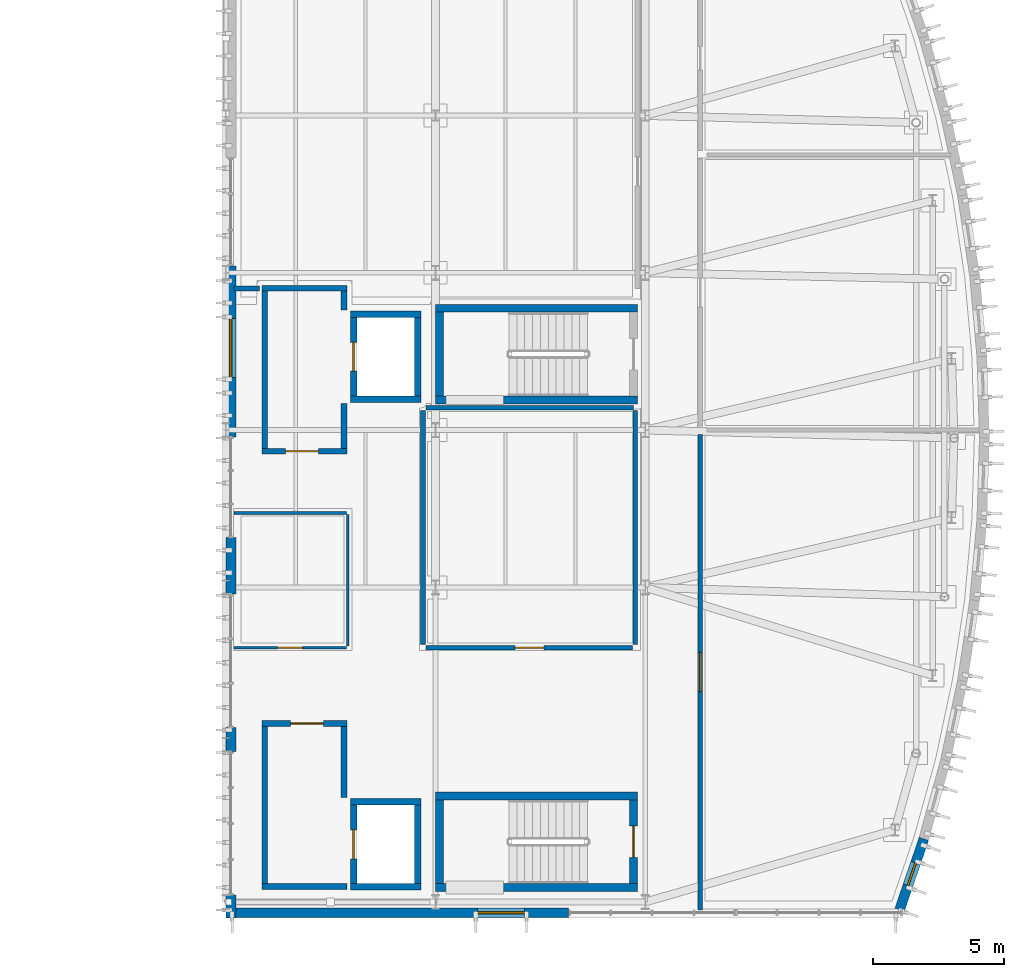
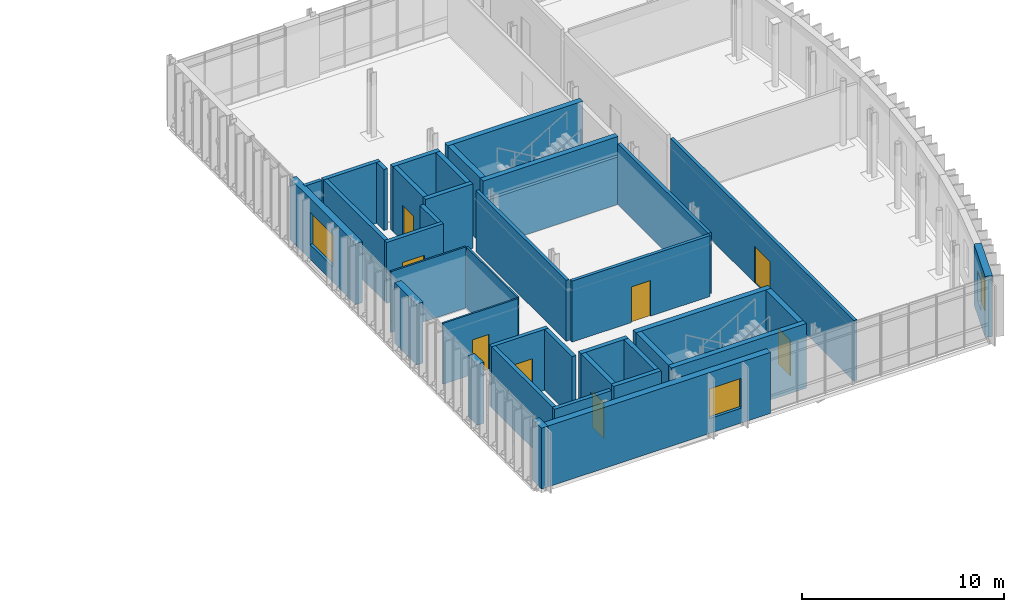
# One storey, part 28 of 43: 39 walls, 8 doors, 3 windows, 11 openings.
"""IFC4 building model written with IfcOpenShell, lengths in metres."""

from ifc_helpers import new_model, si_unit, direction, frame, frame_2d, origin, place, context, subcontext, project, spatial, rectangle, extrude, material, layer, layer_set, type_object, element, fill, save


model = new_model("IFC4")

# Units and contexts
model_context = context("Model", 3, precision=1e-05, world=origin(), true_north=direction((0.0, 1.0)))
body_context = subcontext(model_context, "Body", "Model", "MODEL_VIEW")
ifc_project = project(units=[si_unit("LENGTHUNIT", "METRE"), si_unit("AREAUNIT", "SQUARE_METRE"), si_unit("VOLUMEUNIT", "CUBIC_METRE"), si_unit("PLANEANGLEUNIT", "RADIAN"), si_unit("MASSUNIT", "GRAM", prefix="KILO")], contexts=[model_context])

# Site, building, storey
site_placement = place(None, origin())
site = spatial("IfcSite", under=ifc_project, at=site_placement, CompositionType="ELEMENT")
building_placement = place(site_placement, origin())
building = spatial("IfcBuilding", under=site, at=building_placement, Name="Cymarion Research Institute", CompositionType="ELEMENT")
storey_placement = place(building_placement, frame((0.0, 0.0, 22.800048828125)))
storey = spatial("IfcBuildingStorey", under=building, at=storey_placement, Name="L05", CompositionType="ELEMENT", Elevation=22.800048828125)

# Wall, opening, window
ifc_material_1 = material(Name="Precast concrete C40/50", Category="concrete")
ifc_layer_1 = layer(ifc_material_1, 0.3798828125)
ifc_layer_set_1 = layer_set([ifc_layer_1], Name="Precast concrete C40/50")
wall_type_1 = type_object("IfcWallType", Name="EXTERIOR WALL EW-PC380 380MM", PredefinedType="SOLIDWALL", material=ifc_layer_set_1)
wall_1_placement = place(storey_placement, frame((138.9619140625, 5.090087890625, 0.0), z_axis=(0.0, 0.0, 1.0), x_axis=(1.0, 0.0, 0.0)))
wall_1 = element("IfcWall", 1, at=wall_1_placement, inside=storey, type_object=wall_type_1, Name="L05 V1 facade pier wall EW-PC380 #218", PredefinedType="SOLIDWALL", context=body_context, shape_type="SweptSolid", body=[
    extrude(rectangle(XDim=12.718994140625, YDim=0.3798828125, at=frame_2d((6.359375, 0.0))), origin(), (0.0, 0.0, 1.0), 3.679931640625),
])
opening_1_placement = place(wall_1_placement, frame((9.239013671875, 0.0, 0.89990234375)))
opening_1 = element("IfcOpeningElement", 2, at=opening_1_placement, cuts=wall_1, Name="Opening W03", PredefinedType="OPENING", context=body_context, shape_type="SweptSolid", body=[
    extrude(rectangle(XDim=1.800048828125, YDim=1.800048828125, at=frame_2d((0.89990234375, 0.89990234375))), frame((0.0, 0.199951171875, 0.0), z_axis=(0.0, -1.0, 0.0), x_axis=(1.0, 0.0, 0.0)), (0.0, 0.0, 1.0), 0.39990234375),
])
ifc_material_2 = material(Name="Thermally broken aluminium window with Low-E glazing", Category="aluminium")
window_type_1 = type_object("IfcWindowType", Name="THERMALLY BROKEN ALUMINIUM WINDOW W03 1800X1800", PartitioningType="DOUBLE_PANEL_VERTICAL", PredefinedType="WINDOW", material=ifc_material_2)
window_1_placement = place(opening_1_placement, origin())
window_1 = element("IfcWindow", 3, at=window_1_placement, inside=storey, type_object=window_type_1, Name="L05 V1 facade window W03 #405", OverallHeight=1.800048828125, OverallWidth=1.800048828125, PartitioningType="SINGLE_PANEL", PredefinedType="WINDOW", context=body_context, shape_type="SweptSolid", body=[
    extrude(rectangle(XDim=1.800048828125, YDim=1.800048828125, at=frame_2d((0.89990234375, 0.89990234375))), frame((0.0, 0.030029296875, 0.0), z_axis=(0.0, -1.0, 0.0), x_axis=(1.0, 0.0, 0.0)), (0.0, 0.0, 1.0), 0.06005859375),
])
fill(opening_1, window_1)

wall_2_placement = place(storey_placement, frame((164.30224609375, 5.201416015625, 0.0), z_axis=(0.0, 0.0, 1.0), x_axis=(0.323739917301, 0.946146112366, 0.0)))
wall_2 = element("IfcWall", 4, at=wall_2_placement, inside=storey, type_object=wall_type_1, Name="L05 V1 exterior wall EW-PC380 #219", PredefinedType="SOLIDWALL", context=body_context, shape_type="SweptSolid", body=[
    extrude(rectangle(XDim=2.862548828125, YDim=0.3798828125, at=frame_2d((1.43115234375, 0.0))), origin(), (0.0, 0.0, 1.0), 3.679931640625),
])
opening_2_placement = place(wall_2_placement, frame((0.98095703125, 0.0, 0.89990234375)))
opening_2 = element("IfcOpeningElement", 5, at=opening_2_placement, cuts=wall_2, Name="Opening W24", PredefinedType="OPENING", context=body_context, shape_type="SweptSolid", body=[
    extrude(rectangle(XDim=0.89990234375, YDim=1.800048828125, at=frame_2d((0.449951171875, 0.89990234375))), frame((0.0, 0.199951171875, 0.0), z_axis=(0.0, -1.0, 0.0), x_axis=(1.0, 0.0, 0.0)), (0.0, 0.0, 1.0), 0.39990234375),
])
window_type_2 = type_object("IfcWindowType", Name="THERMALLY BROKEN ALUMINIUM WINDOW W24 900X1800", PartitioningType="SINGLE_PANEL", PredefinedType="WINDOW", material=ifc_material_2)
window_2_placement = place(opening_2_placement, origin())
window_2 = element("IfcWindow", 6, at=window_2_placement, inside=storey, type_object=window_type_2, Name="L05 V1 facade window W24 #406", OverallHeight=1.800048828125, OverallWidth=0.89990234375, PartitioningType="SINGLE_PANEL", PredefinedType="WINDOW", context=body_context, shape_type="SweptSolid", body=[
    extrude(rectangle(XDim=0.89990234375, YDim=1.800048828125, at=frame_2d((0.449951171875, 0.89990234375))), frame((0.0, 0.030029296875, 0.0), z_axis=(0.0, -1.0, 0.0), x_axis=(1.0, 0.0, 0.0)), (0.0, 0.0, 1.0), 0.06005859375),
])
fill(opening_2, window_2)

wall_3_placement = place(storey_placement, frame((138.7900390625, 29.760009765625, 0.0), z_axis=(0.0, 0.0, 1.0), x_axis=(0.0, -1.0, 0.0)))
wall_3 = element("IfcWall", 7, at=wall_3_placement, inside=storey, type_object=wall_type_1, Name="L05 V1 facade pier wall EW-PC380 #235", PredefinedType="SOLIDWALL", context=body_context, shape_type="SweptSolid", body=[
    extrude(rectangle(XDim=6.52001953125, YDim=0.3798828125, at=frame_2d((3.260009765625, 0.0))), origin(), (0.0, 0.0, 1.0), 3.679931640625),
])
opening_3_placement = place(wall_3_placement, frame((2.010009765625, 0.0, 0.89990234375)))
opening_3 = element("IfcOpeningElement", 8, at=opening_3_placement, cuts=wall_3, Name="Opening W30", PredefinedType="OPENING", context=body_context, shape_type="SweptSolid", body=[
    extrude(rectangle(XDim=2.25, YDim=1.949951171875, at=frame_2d((1.125, 0.97509765625))), frame((0.0, 0.199951171875, 0.0), z_axis=(0.0, -1.0, 0.0), x_axis=(1.0, 0.0, 0.0)), (0.0, 0.0, 1.0), 0.39990234375),
])
window_type_3 = type_object("IfcWindowType", Name="THERMALLY BROKEN ALUMINIUM WINDOW W30 2250X1950", PartitioningType="DOUBLE_PANEL_VERTICAL", PredefinedType="WINDOW", material=ifc_material_2)
window_3_placement = place(opening_3_placement, origin())
window_3 = element("IfcWindow", 9, at=window_3_placement, inside=storey, type_object=window_type_3, Name="L05 V1 facade window W30 #418", OverallHeight=1.949951171875, OverallWidth=2.25, PartitioningType="SINGLE_PANEL", PredefinedType="WINDOW", context=body_context, shape_type="SweptSolid", body=[
    extrude(rectangle(XDim=2.25, YDim=1.949951171875, at=frame_2d((1.125, 0.97509765625))), frame((0.0, 0.030029296875, 0.0), z_axis=(0.0, -1.0, 0.0), x_axis=(1.0, 0.0, 0.0)), (0.0, 0.0, 1.0), 0.06005859375),
])
fill(opening_3, window_3)

# Walls
wall_4_placement = place(storey_placement, frame((138.7900390625, 19.395263671875, 0.0), z_axis=(0.0, 0.0, 1.0), x_axis=(0.0, -1.0, 0.0)))
element("IfcWall", 10, at=wall_4_placement, inside=storey, type_object=wall_type_1, Name="L05 V1 facade pier wall EW-PC380 #236", PredefinedType="SOLIDWALL", context=body_context, shape_type="SweptSolid", body=[
    extrude(rectangle(XDim=2.1552734375, YDim=0.3798828125, at=frame_2d((1.07763671875, 0.0))), origin(), (0.0, 0.0, 1.0), 3.679931640625),
])
wall_5_placement = place(storey_placement, frame((138.7900390625, 12.147705078125, 0.0), z_axis=(0.0, 0.0, 1.0), x_axis=(0.0, -1.0, 0.0)))
element("IfcWall", 11, at=wall_5_placement, inside=storey, type_object=wall_type_1, Name="L05 V1 facade pier wall EW-PC380 #237", PredefinedType="SOLIDWALL", context=body_context, shape_type="SweptSolid", body=[
    extrude(rectangle(XDim=0.90771484375, YDim=0.3798828125, at=frame_2d((0.453857421875, 0.0))), origin(), (0.0, 0.0, 1.0), 3.679931640625),
])
wall_6_placement = place(storey_placement, frame((138.7900390625, 5.760009765625, 0.0), z_axis=(0.0, 0.0, 1.0), x_axis=(0.0, -1.0, 0.0)))
element("IfcWall", 12, at=wall_6_placement, inside=storey, type_object=wall_type_1, Name="L05 V1 facade pier wall EW-PC380 #238", PredefinedType="SOLIDWALL", context=body_context, shape_type="SweptSolid", body=[
    extrude(rectangle(XDim=0.860107421875, YDim=0.3798828125, at=frame_2d((0.43017578125, 0.0))), origin(), (0.0, 0.0, 1.0), 3.679931640625),
])
ifc_material_3 = material(Name="Framed acoustic glass laboratory screen", Category="glass")
ifc_layer_2 = layer(ifc_material_3, 0.10009765625)
ifc_layer_set_2 = layer_set([ifc_layer_2], Name="Framed acoustic glass laboratory screen")
wall_type_2 = type_object("IfcWallType", Name="INTERIOR PARTITION IW-GL100 100MM", PredefinedType="PARTITIONING", material=ifc_layer_set_2)
wall_7_placement = place(storey_placement, frame((138.905029296875, 20.340087890625, 0.0), z_axis=(0.0, 0.0, 1.0), x_axis=(1.0, 0.0, 0.0)))
element("IfcWall", 13, at=wall_7_placement, inside=storey, type_object=wall_type_2, Name="L05 V1 interior partition IW-GL100 #317", PredefinedType="PARTITIONING", context=body_context, shape_type="SweptSolid", body=[
    extrude(rectangle(XDim=4.294921875, YDim=0.10009765625, at=frame_2d((2.1474609375, 0.0))), origin(), (0.0, 0.0, 1.0), 3.679931640625),
])
wall_8_placement = place(storey_placement, frame((143.25, 15.260009765625, 0.0), z_axis=(0.0, 0.0, 1.0), x_axis=(0.0, 1.0, 0.0)))
element("IfcWall", 14, at=wall_8_placement, inside=storey, type_object=wall_type_2, Name="L05 V1 interior partition IW-GL100 #318", PredefinedType="PARTITIONING", context=body_context, shape_type="SweptSolid", body=[
    extrude(rectangle(XDim=5.02001953125, YDim=0.10009765625, at=frame_2d((2.510009765625, 0.0))), origin(), (0.0, 0.0, 1.0), 3.679931640625),
])

# Wall, opening, door
wall_9_placement = place(storey_placement, frame((138.905029296875, 15.199951171875, 0.0), z_axis=(0.0, 0.0, 1.0), x_axis=(1.0, 0.0, 0.0)))
wall_9 = element("IfcWall", 15, at=wall_9_placement, inside=storey, type_object=wall_type_2, Name="L05 V1 interior partition IW-GL100 #319", PredefinedType="PARTITIONING", context=body_context, shape_type="SweptSolid", body=[
    extrude(rectangle(XDim=4.294921875, YDim=0.10009765625, at=frame_2d((2.1474609375, 0.0))), origin(), (0.0, 0.0, 1.0), 3.679931640625),
])
opening_4_placement = place(wall_9_placement, frame((1.673095703125, 0.0, 0.0)))
opening_4 = element("IfcOpeningElement", 16, at=opening_4_placement, cuts=wall_9, Name="Opening D-L05-192", PredefinedType="OPENING", context=body_context, shape_type="SweptSolid", body=[
    extrude(rectangle(XDim=0.949951171875, YDim=2.10009765625, at=frame_2d((0.47509765625, 1.050048828125))), frame((0.0, 0.06005859375, 0.0), z_axis=(0.0, -1.0, 0.0), x_axis=(1.0, 0.0, 0.0)), (0.0, 0.0, 1.0), 0.1201171875),
])
ifc_material_4 = material(Name="Flush acoustic timber/steel door assembly", Category="steel")
door_type_1 = type_object("IfcDoorType", Name="FACULTY STUDY DOOR DT-OF095 950X2100", OperationType="NOTDEFINED", PredefinedType="DOOR", material=ifc_material_4)
door_1_placement = place(opening_4_placement, origin())
door_1 = element("IfcDoor", 17, at=door_1_placement, inside=storey, type_object=door_type_1, Name="L05 West Write-up door D-L05-192", OperationType="SINGLE_SWING_LEFT", OverallHeight=2.10009765625, OverallWidth=0.949951171875, PredefinedType="DOOR", context=body_context, shape_type="SweptSolid", body=[
    extrude(rectangle(XDim=0.949951171875, YDim=2.10009765625, at=frame_2d((0.47509765625, 1.050048828125))), frame((0.0, 0.02490234375, 0.0), z_axis=(0.0, -1.0, 0.0), x_axis=(1.0, 0.0, 0.0)), (0.0, 0.0, 1.0), 0.050048828125),
])
fill(opening_4, door_1)

ifc_material_5 = material(Name="Moisture-resistant laboratory partition", Category="gypsum")
ifc_layer_3 = layer(ifc_material_5, 0.179931640625)
ifc_layer_set_3 = layer_set([ifc_layer_3], Name="Moisture-resistant laboratory partition")
wall_type_3 = type_object("IfcWallType", Name="INTERIOR PARTITION IW-LB180 180MM", PredefinedType="PARTITIONING", material=ifc_layer_set_3)
wall_10_placement = place(storey_placement, frame((156.699951171875, 5.205078125, 0.0), z_axis=(0.0, 0.0, 1.0), x_axis=(0.0, 1.0, 0.0)))
wall_10 = element("IfcWall", 18, at=wall_10_placement, inside=storey, type_object=wall_type_3, Name="L05 V1 interior partition IW-LB180 #314", PredefinedType="PARTITIONING", context=body_context, shape_type="SweptSolid", body=[
    extrude(rectangle(XDim=18.135009765625, YDim=0.179931640625, at=frame_2d((9.0673828125, 0.0))), origin(), (0.0, 0.0, 1.0), 3.679931640625),
])
opening_5_placement = place(wall_10_placement, frame((8.31689453125, 0.0, 0.0)))
opening_5 = element("IfcOpeningElement", 19, at=opening_5_placement, cuts=wall_10, Name="Opening D-L05-189", PredefinedType="OPENING", context=body_context, shape_type="SweptSolid", body=[
    extrude(rectangle(XDim=1.5, YDim=2.199951171875, at=frame_2d((0.75, 1.10009765625))), frame((0.0, 0.099853515625, 0.0), z_axis=(0.0, -1.0, 0.0), x_axis=(1.0, 0.0, 0.0)), (0.0, 0.0, 1.0), 0.199951171875),
])
door_type_2 = type_object("IfcDoorType", Name="LABORATORY EQUIPMENT DOUBLE DOOR DT-LB150 1500X2200", OperationType="DOUBLE_DOOR_SINGLE_SWING", PredefinedType="DOOR", material=ifc_material_4)
door_2_placement = place(opening_5_placement, origin())
door_2 = element("IfcDoor", 20, at=door_2_placement, inside=storey, type_object=door_type_2, Name="L05 Prow Lab S door D-L05-189", OperationType="DOUBLE_DOOR_SINGLE_SWING", OverallHeight=2.199951171875, OverallWidth=1.5, PredefinedType="DOOR", context=body_context, shape_type="SweptSolid", body=[
    extrude(rectangle(XDim=1.5, YDim=2.199951171875, at=frame_2d((0.75, 1.10009765625))), frame((0.0, 0.02490234375, 0.0), z_axis=(0.0, -1.0, 0.0), x_axis=(1.0, 0.0, 0.0)), (0.0, 0.0, 1.0), 0.050048828125),
])
fill(opening_5, door_2)

# Walls
wall_11_placement = place(storey_placement, frame((146.1201171875, 15.320068359375, 0.0), z_axis=(0.0, 0.0, 1.0), x_axis=(0.0, 1.0, 0.0)))
element("IfcWall", 21, at=wall_11_placement, inside=storey, type_object=wall_type_3, Name="L05 V1 interior partition IW-LB180 #320", PredefinedType="PARTITIONING", context=body_context, shape_type="SweptSolid", body=[
    extrude(rectangle(XDim=8.929931640625, YDim=0.179931640625, at=frame_2d((4.46484375, 0.0))), origin(), (0.0, 0.0, 1.0), 3.679931640625),
])
wall_12_placement = place(storey_placement, frame((146.239990234375, 24.35009765625, 0.0), z_axis=(0.0, 0.0, 1.0), x_axis=(1.0, 0.0, 0.0)))
element("IfcWall", 22, at=wall_12_placement, inside=storey, type_object=wall_type_3, Name="L05 V1 interior partition IW-LB180 #321", PredefinedType="PARTITIONING", context=body_context, shape_type="SweptSolid", body=[
    extrude(rectangle(XDim=7.909912109375, YDim=0.179931640625, at=frame_2d((3.955078125, 0.0))), origin(), (0.0, 0.0, 1.0), 2.85986328125),
])
wall_13_placement = place(storey_placement, frame((154.219970703125, 15.320068359375, 0.0), z_axis=(0.0, 0.0, 1.0), x_axis=(0.0, 1.0, 0.0)))
element("IfcWall", 23, at=wall_13_placement, inside=storey, type_object=wall_type_3, Name="L05 V1 interior partition IW-LB180 #322", PredefinedType="PARTITIONING", context=body_context, shape_type="SweptSolid", body=[
    extrude(rectangle(XDim=8.929931640625, YDim=0.179931640625, at=frame_2d((4.46484375, 0.0))), origin(), (0.0, 0.0, 1.0), 3.679931640625),
])

# Wall, opening, door
wall_14_placement = place(storey_placement, frame((146.239990234375, 15.199951171875, 0.0), z_axis=(0.0, 0.0, 1.0), x_axis=(1.0, 0.0, 0.0)))
wall_14 = element("IfcWall", 24, at=wall_14_placement, inside=storey, type_object=wall_type_3, Name="L05 V1 interior partition IW-LB180 #323", PredefinedType="PARTITIONING", context=body_context, shape_type="SweptSolid", body=[
    extrude(rectangle(XDim=7.880126953125, YDim=0.179931640625, at=frame_2d((3.93994140625, 0.0))), origin(), (0.0, 0.0, 1.0), 3.679931640625),
])
opening_6_placement = place(wall_14_placement, frame((3.389892578125, 0.0, 0.0)))
opening_6 = element("IfcOpeningElement", 25, at=opening_6_placement, cuts=wall_14, Name="Opening D-L05-193", PredefinedType="OPENING", context=body_context, shape_type="SweptSolid", body=[
    extrude(rectangle(XDim=1.10009765625, YDim=2.14990234375, at=frame_2d((0.550048828125, 1.074951171875))), frame((0.0, 0.099853515625, 0.0), z_axis=(0.0, -1.0, 0.0), x_axis=(1.0, 0.0, 0.0)), (0.0, 0.0, 1.0), 0.199951171875),
])
door_type_3 = type_object("IfcDoorType", Name="LABORATORY WIDE SINGLE DOOR DT-LB110 1100X2150", OperationType="NOTDEFINED", PredefinedType="DOOR", material=ifc_material_4)
door_3_placement = place(opening_6_placement, origin())
door_3 = element("IfcDoor", 26, at=door_3_placement, inside=storey, type_object=door_type_3, Name="L05 Central Microscopy Lab door D-L05-193", OperationType="SINGLE_SWING_RIGHT", OverallHeight=2.14990234375, OverallWidth=1.10009765625, PredefinedType="DOOR", context=body_context, shape_type="SweptSolid", body=[
    extrude(rectangle(XDim=1.10009765625, YDim=2.14990234375, at=frame_2d((0.550048828125, 1.074951171875))), frame((0.0, 0.02490234375, 0.0), z_axis=(0.0, -1.0, 0.0), x_axis=(1.0, 0.0, 0.0)), (0.0, 0.0, 1.0), 0.050048828125),
])
fill(opening_6, door_3)

# Walls
wall_15_placement = place(storey_placement, frame((138.905029296875, 28.89990234375, 0.0), z_axis=(0.0, 0.0, 1.0), x_axis=(1.0, 0.0, 0.0)))
element("IfcWall", 27, at=wall_15_placement, inside=storey, type_object=wall_type_3, Name="L05 V1 interior partition IW-LB180 #324", PredefinedType="PARTITIONING", context=body_context, shape_type="SweptSolid", body=[
    extrude(rectangle(XDim=0.974853515625, YDim=0.179931640625, at=frame_2d((0.4873046875, 0.0))), origin(), (0.0, 0.0, 1.0), 3.679931640625),
])
ifc_material_6 = material(Name="Concrete C40/50", Category="concrete")
ifc_layer_4 = layer(ifc_material_6, 0.219970703125)
ifc_layer_set_4 = layer_set([ifc_layer_4], Name="Concrete C40/50")
wall_type_4 = type_object("IfcWallType", Name="REINFORCED CONCRETE CORE WALL CW-FF220 220MM", PredefinedType="SOLIDWALL", material=ifc_layer_set_4)
wall_16_placement = place(storey_placement, frame((139.97998046875, 6.090087890625, 0.0), z_axis=(0.0, 0.0, 1.0), x_axis=(1.0, 0.0, 0.0)))
element("IfcWall", 28, at=wall_16_placement, inside=storey, type_object=wall_type_4, Name="L05 FFL-LF1-L05 south core wall", PredefinedType="SOLIDWALL", context=body_context, shape_type="SweptSolid", body=[
    extrude(rectangle(XDim=3.239990234375, YDim=0.219970703125, at=frame_2d((1.6201171875, 0.0))), origin(), (0.0, 0.0, 1.0), 3.679931640625),
])

# Wall, opening, door
wall_17_placement = place(storey_placement, frame((143.219970703125, 12.31005859375, 0.0), z_axis=(0.0, 0.0, 1.0), x_axis=(-1.0, 0.0, 0.0)))
wall_17 = element("IfcWall", 29, at=wall_17_placement, inside=storey, type_object=wall_type_4, Name="L05 FFL-LF1-L05 north core wall", PredefinedType="SOLIDWALL", context=body_context, shape_type="SweptSolid", body=[
    extrude(rectangle(XDim=3.239990234375, YDim=0.219970703125, at=frame_2d((1.6201171875, 0.0))), origin(), (0.0, 0.0, 1.0), 3.679931640625),
])
opening_7_placement = place(wall_17_placement, frame((0.89990234375, 0.0, 0.0)))
opening_7 = element("IfcOpeningElement", 30, at=opening_7_placement, cuts=wall_17, Name="Opening FD-FFL-LF1-L05", PredefinedType="OPENING", context=body_context, shape_type="SweptSolid", body=[
    extrude(rectangle(XDim=1.25, YDim=2.14990234375, at=frame_2d((0.625, 1.074951171875))), frame((0.0, 0.119873046875, 0.0), z_axis=(0.0, -1.0, 0.0), x_axis=(1.0, 0.0, 0.0)), (0.0, 0.0, 1.0), 0.239990234375),
])
ifc_material_7 = material(Name="Fire-rated insulated steel door assembly", Category="steel")
door_type_4 = type_object("IfcDoorType", Name="FIREFIGHTING LOBBY DOOR DT-FF125 1250X2150", OperationType="NOTDEFINED", PredefinedType="DOOR", material=ifc_material_7)
door_4_placement = place(opening_7_placement, frame((1.25, 0.0, 0.0), z_axis=(0.0, 0.0, 1.0), x_axis=(-1.0, 0.0, 0.0)))
door_4 = element("IfcDoor", 31, at=door_4_placement, inside=storey, type_object=door_type_4, Name="L05 Firefighting lobby door FD-FFL-LF1-L05", OperationType="SINGLE_SWING_LEFT", OverallHeight=2.14990234375, OverallWidth=1.25, PredefinedType="DOOR", context=body_context, shape_type="SweptSolid", body=[
    extrude(rectangle(XDim=1.25, YDim=2.14990234375, at=frame_2d((0.625, 1.074951171875))), frame((0.0, 0.02490234375, 0.0), z_axis=(0.0, -1.0, 0.0), x_axis=(1.0, 0.0, 0.0)), (0.0, 0.0, 1.0), 0.050048828125),
])
fill(opening_7, door_4)

# Walls
wall_18_placement = place(storey_placement, frame((140.090087890625, 12.199951171875, 0.0), z_axis=(0.0, 0.0, 1.0), x_axis=(0.0, -1.0, 0.0)))
element("IfcWall", 32, at=wall_18_placement, inside=storey, type_object=wall_type_4, Name="L05 FFL-LF1-L05 west core wall", PredefinedType="SOLIDWALL", context=body_context, shape_type="SweptSolid", body=[
    extrude(rectangle(XDim=6.0, YDim=0.219970703125, at=frame_2d((3.0, 0.0))), origin(), (0.0, 0.0, 1.0), 3.679931640625),
])
wall_19_placement = place(storey_placement, frame((143.110107421875, 9.47998046875, 0.0), z_axis=(0.0, 0.0, 1.0), x_axis=(0.0, 1.0, 0.0)))
element("IfcWall", 33, at=wall_19_placement, inside=storey, type_object=wall_type_4, Name="Core C1 firefighting lobby east closure wall L05", PredefinedType="SOLIDWALL", context=body_context, shape_type="SweptSolid", body=[
    extrude(rectangle(XDim=2.719970703125, YDim=0.219970703125, at=frame_2d((1.35986328125, 0.0))), origin(), (0.0, 0.0, 1.0), 3.679931640625),
])

# Wall, opening, door
wall_20_placement = place(storey_placement, frame((139.97998046875, 22.68994140625, 0.0), z_axis=(0.0, 0.0, 1.0), x_axis=(1.0, 0.0, 0.0)))
wall_20 = element("IfcWall", 34, at=wall_20_placement, inside=storey, type_object=wall_type_4, Name="L05 FFL-LF2-L05 south core wall", PredefinedType="SOLIDWALL", context=body_context, shape_type="SweptSolid", body=[
    extrude(rectangle(XDim=3.239990234375, YDim=0.219970703125, at=frame_2d((1.6201171875, 0.0))), origin(), (0.0, 0.0, 1.0), 3.679931640625),
])
opening_8_placement = place(wall_20_placement, frame((0.89990234375, 0.0, 0.0)))
opening_8 = element("IfcOpeningElement", 35, at=opening_8_placement, cuts=wall_20, Name="Opening FD-FFL-LF2-L05", PredefinedType="OPENING", context=body_context, shape_type="SweptSolid", body=[
    extrude(rectangle(XDim=1.25, YDim=2.14990234375, at=frame_2d((0.625, 1.074951171875))), frame((0.0, 0.119873046875, 0.0), z_axis=(0.0, -1.0, 0.0), x_axis=(1.0, 0.0, 0.0)), (0.0, 0.0, 1.0), 0.239990234375),
])
door_5_placement = place(opening_8_placement, frame((1.25, 0.0, 0.0), z_axis=(0.0, 0.0, 1.0), x_axis=(-1.0, 0.0, 0.0)))
door_5 = element("IfcDoor", 36, at=door_5_placement, inside=storey, type_object=door_type_4, Name="L05 Firefighting lobby door FD-FFL-LF2-L05", OperationType="SINGLE_SWING_LEFT", OverallHeight=2.14990234375, OverallWidth=1.25, PredefinedType="DOOR", context=body_context, shape_type="SweptSolid", body=[
    extrude(rectangle(XDim=1.25, YDim=2.14990234375, at=frame_2d((0.625, 1.074951171875))), frame((0.0, 0.02490234375, 0.0), z_axis=(0.0, -1.0, 0.0), x_axis=(1.0, 0.0, 0.0)), (0.0, 0.0, 1.0), 0.050048828125),
])
fill(opening_8, door_5)

# Walls
wall_21_placement = place(storey_placement, frame((143.219970703125, 28.909912109375, 0.0), z_axis=(0.0, 0.0, 1.0), x_axis=(-1.0, 0.0, 0.0)))
element("IfcWall", 37, at=wall_21_placement, inside=storey, type_object=wall_type_4, Name="L05 FFL-LF2-L05 north core wall", PredefinedType="SOLIDWALL", context=body_context, shape_type="SweptSolid", body=[
    extrude(rectangle(XDim=3.239990234375, YDim=0.219970703125, at=frame_2d((1.6201171875, 0.0))), origin(), (0.0, 0.0, 1.0), 3.679931640625),
])
wall_22_placement = place(storey_placement, frame((140.090087890625, 28.800048828125, 0.0), z_axis=(0.0, 0.0, 1.0), x_axis=(0.0, -1.0, 0.0)))
element("IfcWall", 38, at=wall_22_placement, inside=storey, type_object=wall_type_4, Name="L05 FFL-LF2-L05 west core wall", PredefinedType="SOLIDWALL", context=body_context, shape_type="SweptSolid", body=[
    extrude(rectangle(XDim=6.0, YDim=0.219970703125, at=frame_2d((3.0, 0.0))), origin(), (0.0, 0.0, 1.0), 3.679931640625),
])
wall_23_placement = place(storey_placement, frame((143.110107421875, 22.800048828125, 0.0), z_axis=(0.0, 0.0, 1.0), x_axis=(0.0, 1.0, 0.0)))
element("IfcWall", 39, at=wall_23_placement, inside=storey, type_object=wall_type_4, Name="Core C2 firefighting lobby east closure wall L05 #1", PredefinedType="SOLIDWALL", context=body_context, shape_type="SweptSolid", body=[
    extrude(rectangle(XDim=1.719970703125, YDim=0.219970703125, at=frame_2d((0.85986328125, 0.0))), origin(), (0.0, 0.0, 1.0), 3.679931640625),
])
wall_24_placement = place(storey_placement, frame((143.110107421875, 28.080078125, 0.0), z_axis=(0.0, 0.0, 1.0), x_axis=(0.0, 1.0, 0.0)))
element("IfcWall", 40, at=wall_24_placement, inside=storey, type_object=wall_type_4, Name="Core C2 firefighting lobby east closure wall L05 #2", PredefinedType="SOLIDWALL", context=body_context, shape_type="SweptSolid", body=[
    extrude(rectangle(XDim=0.719970703125, YDim=0.219970703125, at=frame_2d((0.35986328125, 0.0))), origin(), (0.0, 0.0, 1.0), 3.679931640625),
])
ifc_layer_5 = layer(ifc_material_6, 0.25)
ifc_layer_set_5 = layer_set([ifc_layer_5], Name="Concrete C40/50")
wall_type_5 = type_object("IfcWallType", Name="REINFORCED CONCRETE CORE WALL CW-SH250 250MM", PredefinedType="SHEAR", material=ifc_layer_set_5)
for number, where, z_axis, x_axis, name in (
    (41, (143.35009765625, 6.074951171875, 0.0), (0.0, 0.0, 1.0), (1.0, 0.0, 0.0), "L05 LSH-LF1-L05 south core wall"),
    (42, (146.050048828125, 9.324951171875, 0.0), (0.0, 0.0, 1.0), (-1.0, 0.0, 0.0), "L05 LSH-LF1-L05 north core wall"),
):
    element("IfcWall", number, at=place(storey_placement, frame(where, z_axis=z_axis, x_axis=x_axis)), inside=storey, type_object=wall_type_5, Name=name, PredefinedType="SHEAR", context=body_context, shape_type="SweptSolid", body=[
        extrude(rectangle(XDim=2.699951171875, YDim=0.25, at=frame_2d((1.35009765625, 0.0))), origin(), (0.0, 0.0, 1.0), 3.89990234375),
    ])

# Wall, opening, door
wall_25_placement = place(storey_placement, frame((143.47509765625, 9.199951171875, 0.0), z_axis=(0.0, 0.0, 1.0), x_axis=(0.0, -1.0, 0.0)))
wall_25 = element("IfcWall", 43, at=wall_25_placement, inside=storey, type_object=wall_type_5, Name="L05 LSH-LF1-L05 west core wall", PredefinedType="SHEAR", context=body_context, shape_type="SweptSolid", body=[
    extrude(rectangle(XDim=3.0, YDim=0.25, at=frame_2d((1.5, 0.0))), origin(), (0.0, 0.0, 1.0), 3.89990234375),
])
opening_9_placement = place(wall_25_placement, frame((0.949951171875, 0.0, 0.0)))
opening_9 = element("IfcOpeningElement", 44, at=opening_9_placement, cuts=wall_25, Name="Opening LD-LF1-L05", PredefinedType="OPENING", context=body_context, shape_type="SweptSolid", body=[
    extrude(rectangle(XDim=1.10009765625, YDim=2.14990234375, at=frame_2d((0.550048828125, 1.074951171875))), frame((0.0, 0.135009765625, 0.0), z_axis=(0.0, -1.0, 0.0), x_axis=(1.0, 0.0, 0.0)), (0.0, 0.0, 1.0), 0.27001953125),
])
door_type_5 = type_object("IfcDoorType", Name="SLIDING LIFT LANDING DOOR DT-LD110 1100X2150", OperationType="DOUBLE_DOOR_SLIDING", PredefinedType="DOOR", material=ifc_material_7)
door_6_placement = place(opening_9_placement, origin())
door_6 = element("IfcDoor", 45, at=door_6_placement, inside=storey, type_object=door_type_5, Name="Lift LF1 landing door L05", OperationType="DOUBLE_DOOR_SLIDING", OverallHeight=2.14990234375, OverallWidth=1.10009765625, PredefinedType="DOOR", context=body_context, shape_type="SweptSolid", body=[
    extrude(rectangle(XDim=1.10009765625, YDim=2.14990234375, at=frame_2d((0.550048828125, 1.074951171875))), frame((0.0, 0.02490234375, 0.0), z_axis=(0.0, -1.0, 0.0), x_axis=(1.0, 0.0, 0.0)), (0.0, 0.0, 1.0), 0.050048828125),
])
fill(opening_9, door_6)

# Walls
wall_26_placement = place(storey_placement, frame((145.925048828125, 6.199951171875, 0.0), z_axis=(0.0, 0.0, 1.0), x_axis=(0.0, 1.0, 0.0)))
element("IfcWall", 46, at=wall_26_placement, inside=storey, type_object=wall_type_5, Name="L05 LSH-LF1-L05 east core wall", PredefinedType="SHEAR", context=body_context, shape_type="SweptSolid", body=[
    extrude(rectangle(XDim=3.0, YDim=0.25, at=frame_2d((1.5, 0.0))), origin(), (0.0, 0.0, 1.0), 3.89990234375),
])
for number, where, z_axis, x_axis, name in (
    (47, (143.35009765625, 24.675048828125, 0.0), (0.0, 0.0, 1.0), (1.0, 0.0, 0.0), "L05 LSH-LF2-L05 south core wall"),
    (48, (146.050048828125, 27.925048828125, 0.0), (0.0, 0.0, 1.0), (-1.0, 0.0, 0.0), "L05 LSH-LF2-L05 north core wall"),
):
    element("IfcWall", number, at=place(storey_placement, frame(where, z_axis=z_axis, x_axis=x_axis)), inside=storey, type_object=wall_type_5, Name=name, PredefinedType="SHEAR", context=body_context, shape_type="SweptSolid", body=[
        extrude(rectangle(XDim=2.699951171875, YDim=0.25, at=frame_2d((1.35009765625, 0.0))), origin(), (0.0, 0.0, 1.0), 3.89990234375),
    ])

# Wall, opening, door
wall_27_placement = place(storey_placement, frame((143.47509765625, 27.800048828125, 0.0), z_axis=(0.0, 0.0, 1.0), x_axis=(0.0, -1.0, 0.0)))
wall_27 = element("IfcWall", 49, at=wall_27_placement, inside=storey, type_object=wall_type_5, Name="L05 LSH-LF2-L05 west core wall", PredefinedType="SHEAR", context=body_context, shape_type="SweptSolid", body=[
    extrude(rectangle(XDim=3.0, YDim=0.25, at=frame_2d((1.5, 0.0))), origin(), (0.0, 0.0, 1.0), 3.89990234375),
])
opening_10_placement = place(wall_27_placement, frame((0.949951171875, 0.0, 0.0)))
opening_10 = element("IfcOpeningElement", 50, at=opening_10_placement, cuts=wall_27, Name="Opening LD-LF2-L05", PredefinedType="OPENING", context=body_context, shape_type="SweptSolid", body=[
    extrude(rectangle(XDim=1.10009765625, YDim=2.14990234375, at=frame_2d((0.550048828125, 1.074951171875))), frame((0.0, 0.135009765625, 0.0), z_axis=(0.0, -1.0, 0.0), x_axis=(1.0, 0.0, 0.0)), (0.0, 0.0, 1.0), 0.27001953125),
])
door_7_placement = place(opening_10_placement, origin())
door_7 = element("IfcDoor", 51, at=door_7_placement, inside=storey, type_object=door_type_5, Name="Lift LF2 landing door L05", OperationType="DOUBLE_DOOR_SLIDING", OverallHeight=2.14990234375, OverallWidth=1.10009765625, PredefinedType="DOOR", context=body_context, shape_type="SweptSolid", body=[
    extrude(rectangle(XDim=1.10009765625, YDim=2.14990234375, at=frame_2d((0.550048828125, 1.074951171875))), frame((0.0, 0.02490234375, 0.0), z_axis=(0.0, -1.0, 0.0), x_axis=(1.0, 0.0, 0.0)), (0.0, 0.0, 1.0), 0.050048828125),
])
fill(opening_10, door_7)

# Walls
wall_28_placement = place(storey_placement, frame((145.925048828125, 24.800048828125, 0.0), z_axis=(0.0, 0.0, 1.0), x_axis=(0.0, 1.0, 0.0)))
element("IfcWall", 52, at=wall_28_placement, inside=storey, type_object=wall_type_5, Name="L05 LSH-LF2-L05 east core wall", PredefinedType="SHEAR", context=body_context, shape_type="SweptSolid", body=[
    extrude(rectangle(XDim=3.0, YDim=0.25, at=frame_2d((1.5, 0.0))), origin(), (0.0, 0.0, 1.0), 3.89990234375),
])
ifc_layer_6 = layer(ifc_material_6, 0.300048828125)
ifc_layer_set_6 = layer_set([ifc_layer_6], Name="Concrete C40/50")
wall_type_6 = type_object("IfcWallType", Name="REINFORCED CONCRETE CORE WALL CW-SH300 300MM", PredefinedType="SHEAR", material=ifc_layer_set_6)
for number, where, z_axis, x_axis, name in (
    (53, (146.60009765625, 6.050048828125, 0.0), (0.0, 0.0, 1.0), (1.0, 0.0, 0.0), "L05 SHW-C1-L05 south core wall"),
    (54, (154.300048828125, 9.550048828125, 0.0), (0.0, 0.0, 1.0), (-1.0, 0.0, 0.0), "L05 SHW-C1-L05 north core wall"),
):
    element("IfcWall", number, at=place(storey_placement, frame(where, z_axis=z_axis, x_axis=x_axis)), inside=storey, type_object=wall_type_6, Name=name, PredefinedType="SHEAR", context=body_context, shape_type="SweptSolid", body=[
        extrude(rectangle(XDim=7.699951171875, YDim=0.300048828125, at=frame_2d((3.85009765625, 0.0))), origin(), (0.0, 0.0, 1.0), 3.89990234375),
    ])
wall_29_placement = place(storey_placement, frame((146.75, 9.39990234375, 0.0), z_axis=(0.0, 0.0, 1.0), x_axis=(0.0, -1.0, 0.0)))
element("IfcWall", 55, at=wall_29_placement, inside=storey, type_object=wall_type_6, Name="L05 SHW-C1-L05 west core wall", PredefinedType="SHEAR", context=body_context, shape_type="SweptSolid", body=[
    extrude(rectangle(XDim=3.199951171875, YDim=0.300048828125, at=frame_2d((1.60009765625, 0.0))), origin(), (0.0, 0.0, 1.0), 3.89990234375),
])

# Wall, opening, door
wall_30_placement = place(storey_placement, frame((154.14990234375, 6.199951171875, 0.0), z_axis=(0.0, 0.0, 1.0), x_axis=(0.0, 1.0, 0.0)))
wall_30 = element("IfcWall", 56, at=wall_30_placement, inside=storey, type_object=wall_type_6, Name="L05 SHW-C1-L05 east core wall", PredefinedType="SHEAR", context=body_context, shape_type="SweptSolid", body=[
    extrude(rectangle(XDim=3.199951171875, YDim=0.300048828125, at=frame_2d((1.60009765625, 0.0))), origin(), (0.0, 0.0, 1.0), 3.89990234375),
])
opening_11_placement = place(wall_30_placement, frame((1.0, 0.0, 0.0)))
opening_11 = element("IfcOpeningElement", 57, at=opening_11_placement, cuts=wall_30, Name="Opening FD-L05-ST1", PredefinedType="OPENING", context=body_context, shape_type="SweptSolid", body=[
    extrude(rectangle(XDim=1.199951171875, YDim=2.14990234375, at=frame_2d((0.60009765625, 1.074951171875))), frame((0.0, 0.159912109375, 0.0), z_axis=(0.0, -1.0, 0.0), x_axis=(1.0, 0.0, 0.0)), (0.0, 0.0, 1.0), 0.320068359375),
])
door_type_6 = type_object("IfcDoorType", Name="SMOKE PROOF STAIR FIRE DOOR DT-ST120 1200X2150", OperationType="NOTDEFINED", PredefinedType="DOOR", material=ifc_material_7)
door_8_placement = place(opening_11_placement, origin())
door_8 = element("IfcDoor", 58, at=door_8_placement, inside=storey, type_object=door_type_6, Name="L05 ST1 smoke-proof stair door FD-L05-ST1", OperationType="SINGLE_SWING_LEFT", OverallHeight=2.14990234375, OverallWidth=1.199951171875, PredefinedType="DOOR", context=body_context, shape_type="SweptSolid", body=[
    extrude(rectangle(XDim=1.199951171875, YDim=2.14990234375, at=frame_2d((0.60009765625, 1.074951171875))), frame((0.0, 0.02490234375, 0.0), z_axis=(0.0, -1.0, 0.0), x_axis=(1.0, 0.0, 0.0)), (0.0, 0.0, 1.0), 0.050048828125),
])
fill(opening_11, door_8)

# Walls
for number, where, z_axis, x_axis, name in (
    (59, (146.60009765625, 24.64990234375, 0.0), (0.0, 0.0, 1.0), (1.0, 0.0, 0.0), "L05 SHW-C2-L05 south core wall"),
    (60, (154.300048828125, 28.14990234375, 0.0), (0.0, 0.0, 1.0), (-1.0, 0.0, 0.0), "L05 SHW-C2-L05 north core wall"),
):
    element("IfcWall", number, at=place(storey_placement, frame(where, z_axis=z_axis, x_axis=x_axis)), inside=storey, type_object=wall_type_6, Name=name, PredefinedType="SHEAR", context=body_context, shape_type="SweptSolid", body=[
        extrude(rectangle(XDim=7.699951171875, YDim=0.300048828125, at=frame_2d((3.85009765625, 0.0))), origin(), (0.0, 0.0, 1.0), 3.89990234375),
    ])
wall_31_placement = place(storey_placement, frame((146.75, 28.0, 0.0), z_axis=(0.0, 0.0, 1.0), x_axis=(0.0, -1.0, 0.0)))
element("IfcWall", 61, at=wall_31_placement, inside=storey, type_object=wall_type_6, Name="L05 SHW-C2-L05 west core wall", PredefinedType="SHEAR", context=body_context, shape_type="SweptSolid", body=[
    extrude(rectangle(XDim=3.199951171875, YDim=0.300048828125, at=frame_2d((1.60009765625, 0.0))), origin(), (0.0, 0.0, 1.0), 3.89990234375),
])

save(model, "model.ifc")
